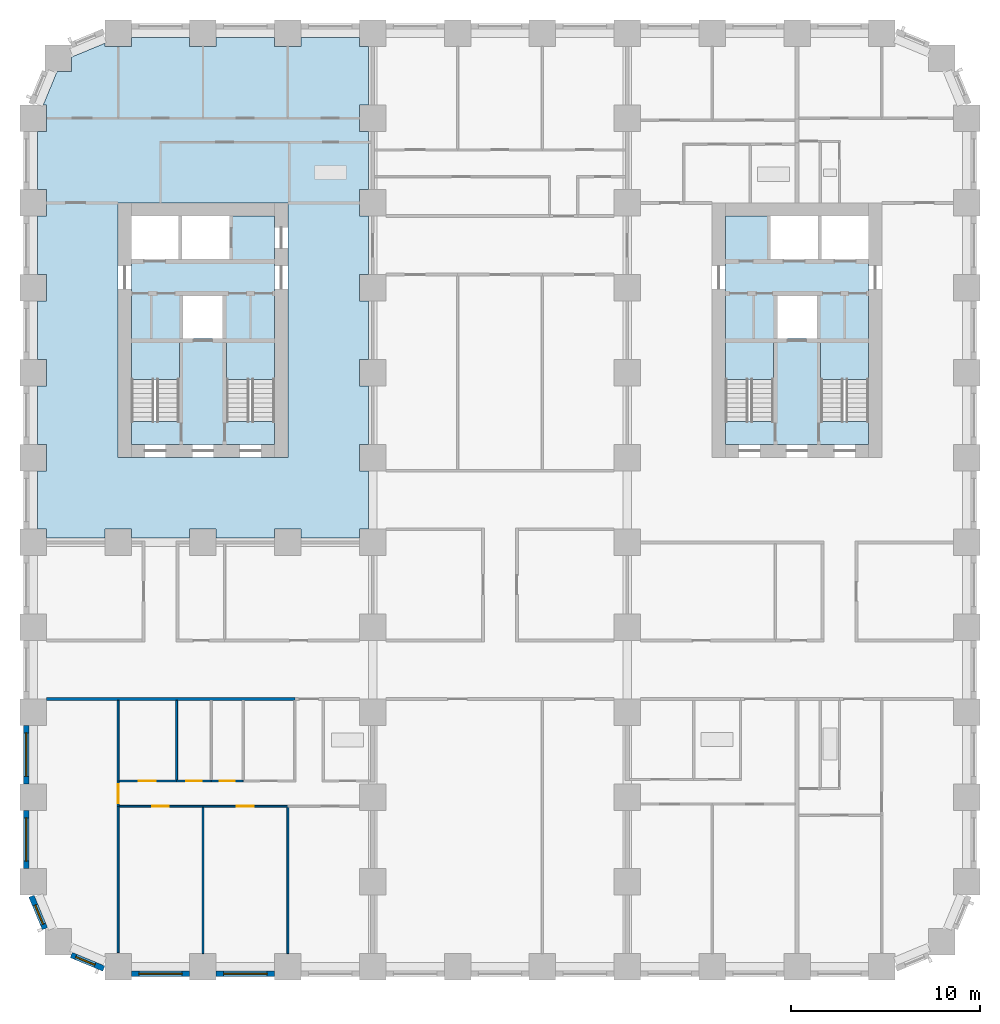
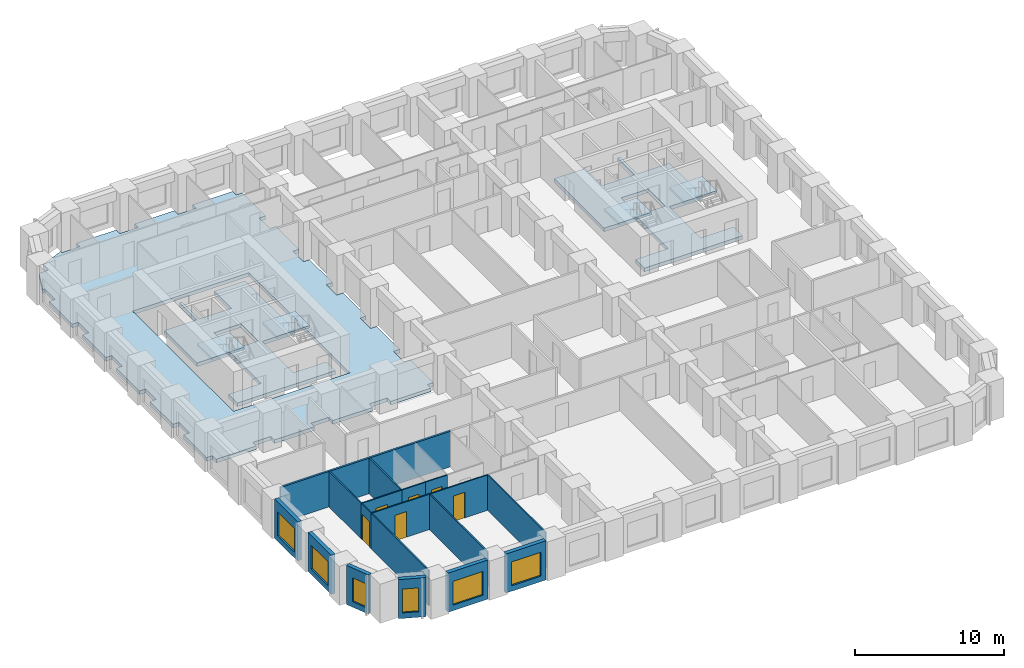
# One storey, part 2 of 13: 18 walls, 7 slabs, 6 doors, 6 windows, 12 openings, 4 elements without a shape of their own.
"""IFC4 building model written with IfcOpenShell, lengths in metres."""

from ifc_helpers import new_model, si_unit, direction, frame, frame_2d, origin, place, context, subcontext, project, spatial, polyline, rectangle, outline, extrude, material, layer, layer_set, type_object, element, fill, aggregate, save


model = new_model("IFC4")

# Units and contexts
model_context = context("Model", 3, precision=1e-05, world=origin(), true_north=direction((0.0, 1.0)))
body_context = subcontext(model_context, "Body", "Model", "MODEL_VIEW")
ifc_project = project(units=[si_unit("LENGTHUNIT", "METRE"), si_unit("AREAUNIT", "SQUARE_METRE"), si_unit("VOLUMEUNIT", "CUBIC_METRE"), si_unit("PLANEANGLEUNIT", "RADIAN"), si_unit("MASSUNIT", "GRAM", prefix="KILO")], contexts=[model_context])

# Site, building, storey
site_placement = place(None, origin())
site = spatial("IfcSite", under=ifc_project, at=site_placement, CompositionType="ELEMENT")
building_placement = place(site_placement, origin())
building = spatial("IfcBuilding", under=site, at=building_placement, Name="Girih Gate Residences", CompositionType="ELEMENT")
storey_placement = place(building_placement, frame((0.0, 0.0, 40.0)))
storey = spatial("IfcBuildingStorey", under=building, at=storey_placement, Name="L09", CompositionType="ELEMENT", Elevation=40.0)

# Slabs
ifc_material_1 = material(Name="Concrete C40/50", Category="concrete")
ifc_layer_1 = layer(ifc_material_1, 0.300048828125)
ifc_layer_set_1 = layer_set([ifc_layer_1], Name="Core floor slab 300")
slab_type_1 = type_object("IfcSlabType", Name="Core floor slab 300", PredefinedType="FLOOR", material=ifc_layer_set_1)
slab_1_placement = place(storey_placement, frame((0.0, 0.0, -0.300048828125)))
element("IfcSlab", 1, at=slab_1_placement, inside=storey, type_object=slab_type_1, Name="L09 W core floor", PredefinedType="FLOOR", context=body_context, shape_type="SweptSolid", body=[
    extrude(outline(polyline([(12.800048828125, 27.699951171875), (5.199951171875, 27.699951171875), (5.199951171875, 28.900634765625), (7.75, 28.900634765625), (7.75, 33.10009765625), (5.199951171875, 33.10009765625), (5.199951171875, 37.5), (7.699951171875, 37.5), (7.699951171875, 39.800048828125), (7.89990234375, 39.800048828125), (7.89990234375, 37.5), (10.39990234375, 37.5), (10.39990234375, 39.800048828125), (12.800048828125, 39.800048828125), (12.800048828125, 33.10009765625), (10.25, 33.10009765625), (10.25, 28.900634765625), (12.800048828125, 28.900634765625), (12.800048828125, 27.699951171875)]), holes=[polyline([(7.949951171875, 33.300048828125), (10.050048828125, 33.300048828125), (10.050048828125, 35.60009765625), (7.949951171875, 35.60009765625), (7.949951171875, 33.300048828125)])]), origin(), (0.0, 0.0, 1.0), 0.300048828125),
])
slab_2_placement = place(storey_placement, frame((0.0, 0.0, -0.300048828125)))
element("IfcSlab", 2, at=slab_2_placement, inside=storey, type_object=slab_type_1, Name="L09 E core floor", PredefinedType="FLOOR", context=body_context, shape_type="SweptSolid", body=[
    extrude(outline(polyline([(44.300048828125, 27.699951171875), (36.699951171875, 27.699951171875), (36.699951171875, 28.900634765625), (39.25, 28.900634765625), (39.25, 33.10009765625), (36.699951171875, 33.10009765625), (36.699951171875, 39.800048828125), (39.10009765625, 39.800048828125), (39.10009765625, 37.5), (41.60009765625, 37.5), (41.60009765625, 39.800048828125), (41.800048828125, 39.800048828125), (41.800048828125, 37.5), (44.300048828125, 37.5), (44.300048828125, 33.10009765625), (41.75, 33.10009765625), (41.75, 28.900634765625), (44.300048828125, 28.900634765625), (44.300048828125, 27.699951171875)]), holes=[polyline([(39.449951171875, 33.300048828125), (41.550048828125, 33.300048828125), (41.550048828125, 35.60009765625), (39.449951171875, 35.60009765625), (39.449951171875, 33.300048828125)])]), origin(), (0.0, 0.0, 1.0), 0.300048828125),
])
ifc_layer_2 = layer(ifc_material_1, 0.300048828125)
ifc_layer_set_2 = layer_set([ifc_layer_2], Name="Floor slab PT 300 Concrete C40/50")
slab_type_2 = type_object("IfcSlabType", Name="Floor slab PT 300 Concrete C40/50", PredefinedType="FLOOR", material=ifc_layer_set_2)
slab_3_placement = place(storey_placement, frame((0.0, 0.0, -0.300048828125)))
element("IfcSlab", 3, at=slab_3_placement, inside=storey, type_object=slab_type_2, Name="Floor slab L09 3", PredefinedType="FLOOR", context=body_context, shape_type="SweptSolid", body=[
    extrude(outline(polyline([(0.22509765625, 26.300048828125), (0.22509765625, 23.199951171875), (0.699951171875, 23.199951171875), (0.699951171875, 22.72509765625), (3.800048828125, 22.72509765625), (3.800048828125, 23.199951171875), (5.199951171875, 23.199951171875), (5.199951171875, 22.72509765625), (8.300048828125, 22.72509765625), (8.300048828125, 23.199951171875), (9.699951171875, 23.199951171875), (9.699951171875, 22.72509765625), (12.800048828125, 22.72509765625), (12.800048828125, 23.199951171875), (14.199951171875, 23.199951171875), (14.199951171875, 22.72509765625), (17.300048828125, 22.72509765625), (17.300048828125, 23.199951171875), (17.77490234375, 23.199951171875), (17.77490234375, 26.300048828125), (17.300048828125, 26.300048828125), (17.300048828125, 27.699951171875), (17.77490234375, 27.699951171875), (17.77490234375, 30.800048828125), (17.300048828125, 30.800048828125), (17.300048828125, 32.199951171875), (17.77490234375, 32.199951171875), (17.77490234375, 35.300048828125), (17.300048828125, 35.300048828125), (17.300048828125, 36.699951171875), (17.77490234375, 36.699951171875), (17.77490234375, 39.800048828125), (17.300048828125, 39.800048828125), (17.300048828125, 41.199951171875), (17.77490234375, 41.199951171875), (17.77490234375, 44.300048828125), (17.300048828125, 44.300048828125), (17.300048828125, 45.699951171875), (17.77490234375, 45.699951171875), (17.77490234375, 48.800048828125), (17.300048828125, 48.800048828125), (17.300048828125, 49.27490234375), (14.199951171875, 49.27490234375), (14.199951171875, 48.800048828125), (12.800048828125, 48.800048828125), (12.800048828125, 49.27490234375), (9.699951171875, 49.27490234375), (9.699951171875, 48.800048828125), (8.300048828125, 48.800048828125), (8.300048828125, 49.27490234375), (5.199951171875, 49.27490234375), (5.199951171875, 48.800048828125), (3.800048828125, 48.800048828125), (3.800048828125, 48.966552734375), (2.01806640625, 48.228271484375), (2.01806640625, 47.48193359375), (1.271728515625, 47.48193359375), (0.533447265625, 45.699951171875), (0.699951171875, 45.699951171875), (0.699951171875, 44.300048828125), (0.22509765625, 44.300048828125), (0.22509765625, 41.199951171875), (0.699951171875, 41.199951171875), (0.699951171875, 39.800048828125), (0.22509765625, 39.800048828125), (0.22509765625, 36.699951171875), (0.699951171875, 36.699951171875), (0.699951171875, 35.300048828125), (0.22509765625, 35.300048828125), (0.22509765625, 32.199951171875), (0.699951171875, 32.199951171875), (0.699951171875, 30.800048828125), (0.22509765625, 30.800048828125), (0.22509765625, 27.699951171875), (0.699951171875, 27.699951171875), (0.699951171875, 26.300048828125), (0.22509765625, 26.300048828125)]), holes=[polyline([(13.5, 40.5), (13.5, 27.0), (4.5, 27.0), (4.5, 40.5), (13.5, 40.5)])]), origin(), (0.0, 0.0, 1.0), 0.300048828125),
])

# Stair, slab
stair_type = type_object("IfcStairType", Name="Exit stair", PredefinedType="HALF_TURN_STAIR", material=ifc_material_1)
stair_1_placement = place(storey_placement, origin())
stair_1 = element("IfcStair", 4, at=stair_1_placement, inside=storey, type_object=stair_type, Name="L09 Exit Stair ST-W1", PredefinedType="HALF_TURN_STAIR")
ifc_layer_3 = layer(ifc_material_1, 0.199951171875)
ifc_layer_set_3 = layer_set([ifc_layer_3], Name="Stair landing 200")
slab_type_3 = type_object("IfcSlabType", Name="Stair landing 200", PredefinedType="LANDING", material=ifc_layer_set_3)
slab_4_placement = place(storey_placement, frame((0.0, 0.0, 1.39990234375)))
slab_4 = element("IfcSlab", 5, at=slab_4_placement, type_object=slab_type_3, Name="ST-W1 landing 1", PredefinedType="LANDING", context=body_context, shape_type="SweptSolid", body=[
    extrude(outline(polyline([(7.75, 31.14990234375), (7.75, 33.10009765625), (5.199951171875, 33.10009765625), (5.199951171875, 31.14990234375), (7.75, 31.14990234375)])), origin(), (0.0, 0.0, 1.0), 0.2001953125),
])
aggregate(stair_1, [slab_4])

stair_2_placement = place(storey_placement, origin())
stair_2 = element("IfcStair", 6, at=stair_2_placement, inside=storey, type_object=stair_type, Name="L09 Exit Stair ST-W2", PredefinedType="HALF_TURN_STAIR")
slab_5_placement = place(storey_placement, frame((0.0, 0.0, 1.39990234375)))
slab_5 = element("IfcSlab", 7, at=slab_5_placement, type_object=slab_type_3, Name="ST-W2 landing 1", PredefinedType="LANDING", context=body_context, shape_type="SweptSolid", body=[
    extrude(outline(polyline([(12.800048828125, 31.14990234375), (12.800048828125, 33.10009765625), (10.25, 33.10009765625), (10.25, 31.14990234375), (12.800048828125, 31.14990234375)])), origin(), (0.0, 0.0, 1.0), 0.2001953125),
])
aggregate(stair_2, [slab_5])

stair_3_placement = place(storey_placement, origin())
stair_3 = element("IfcStair", 8, at=stair_3_placement, inside=storey, type_object=stair_type, Name="L09 Exit Stair ST-E1", PredefinedType="HALF_TURN_STAIR")
slab_6_placement = place(storey_placement, frame((0.0, 0.0, 1.39990234375)))
slab_6 = element("IfcSlab", 9, at=slab_6_placement, type_object=slab_type_3, Name="ST-E1 landing 1", PredefinedType="LANDING", context=body_context, shape_type="SweptSolid", body=[
    extrude(outline(polyline([(44.300048828125, 31.14990234375), (44.300048828125, 33.10009765625), (41.75, 33.10009765625), (41.75, 31.14990234375), (44.300048828125, 31.14990234375)])), origin(), (0.0, 0.0, 1.0), 0.2001953125),
])
aggregate(stair_3, [slab_6])

stair_4_placement = place(storey_placement, origin())
stair_4 = element("IfcStair", 10, at=stair_4_placement, inside=storey, type_object=stair_type, Name="L09 Exit Stair ST-E2", PredefinedType="HALF_TURN_STAIR")
slab_7_placement = place(storey_placement, frame((0.0, 0.0, 1.39990234375)))
slab_7 = element("IfcSlab", 11, at=slab_7_placement, type_object=slab_type_3, Name="ST-E2 landing 1", PredefinedType="LANDING", context=body_context, shape_type="SweptSolid", body=[
    extrude(outline(polyline([(39.25, 31.14990234375), (39.25, 33.10009765625), (36.699951171875, 33.10009765625), (36.699951171875, 31.14990234375), (39.25, 31.14990234375)])), origin(), (0.0, 0.0, 1.0), 0.2001953125),
])
aggregate(stair_4, [slab_7])

# Walls
ifc_material_2 = material(Name="Gypsum board on steel studs", Category="steel")
ifc_layer_4 = layer(ifc_material_2, 0.14990234375)
ifc_layer_set_4 = layer_set([ifc_layer_4], Name="Compartment wall 150 mm")
wall_type_1 = type_object("IfcWallType", Name="Compartment wall 150 mm", PredefinedType="PARTITIONING", material=ifc_layer_set_4)
wall_1_placement = place(storey_placement, frame((0.699951171875, 14.199951171875, 0.0), z_axis=(0.0, 0.0, 1.0), x_axis=(1.0, 0.0, 0.0)))
element("IfcWall", 12, at=wall_1_placement, inside=storey, type_object=wall_type_1, Name="L09 partition", PredefinedType="PARTITIONING", context=body_context, shape_type="SweptSolid", body=[
    extrude(rectangle(XDim=13.175048828125, YDim=0.14990234375, at=frame_2d((6.58740234375, 0.0))), origin(), (0.0, 0.0, 1.0), 2.89990234375),
])
ifc_layer_5 = layer(ifc_material_2, 0.10009765625)
ifc_layer_set_5 = layer_set([ifc_layer_5], Name="Partition 100 mm")
wall_type_2 = type_object("IfcWallType", Name="Partition 100 mm", PredefinedType="PARTITIONING", material=ifc_layer_set_5)
wall_2_placement = place(storey_placement, frame((9.0, 0.699951171875, 0.0), z_axis=(0.0, 0.0, 1.0), x_axis=(0.0, 1.0, 0.0)))
element("IfcWall", 13, at=wall_2_placement, inside=storey, type_object=wall_type_2, Name="L09 partition", PredefinedType="PARTITIONING", context=body_context, shape_type="SweptSolid", body=[
    extrude(rectangle(XDim=7.760009765625, YDim=0.10009765625, at=frame_2d((3.8798828125, 0.0))), origin(), (0.0, 0.0, 1.0), 2.89990234375),
])

# Wall, opening, door
wall_3_placement = place(storey_placement, frame((9.0, 8.510009765625, 0.0), z_axis=(0.0, 0.0, 1.0), x_axis=(-1.0, 0.0, 0.0)))
wall_3 = element("IfcWall", 14, at=wall_3_placement, inside=storey, type_object=wall_type_2, Name="L09 partition", PredefinedType="PARTITIONING", context=body_context, shape_type="SweptSolid", body=[
    extrude(rectangle(XDim=4.449951171875, YDim=0.10009765625, at=frame_2d((2.22509765625, 0.0))), origin(), (0.0, 0.0, 1.0), 2.89990234375),
])
opening_1_placement = place(wall_3_placement, frame((1.800048828125, 0.0, 0.0)))
opening_1 = element("IfcOpeningElement", 15, at=opening_1_placement, cuts=wall_3, Name="Opening A09-002", PredefinedType="OPENING", context=body_context, shape_type="SweptSolid", body=[
    extrude(rectangle(XDim=0.89990234375, YDim=2.10009765625, at=frame_2d((0.449951171875, 1.050048828125))), frame((0.0, 0.06005859375, 0.0), z_axis=(0.0, -1.0, 0.0), x_axis=(1.0, 0.0, 0.0)), (0.0, 0.0, 1.0), 0.1201171875),
])
ifc_material_3 = material(Name="Timber", Category="wood")
door_type_1 = type_object("IfcDoorType", Name="Bedroom door 900x2100", OperationType="NOTDEFINED", PredefinedType="DOOR", material=ifc_material_3)
door_1_placement = place(opening_1_placement, origin())
door_1 = element("IfcDoor", 16, at=door_1_placement, inside=storey, type_object=door_type_1, Name="Door A09-002", OperationType="SINGLE_SWING_RIGHT", OverallHeight=2.10009765625, OverallWidth=0.89990234375, PredefinedType="DOOR", context=body_context, shape_type="SweptSolid", body=[
    extrude(rectangle(XDim=0.89990234375, YDim=2.10009765625, at=frame_2d((0.449951171875, 1.050048828125))), frame((0.0, 0.02490234375, 0.0), z_axis=(0.0, -1.0, 0.0), x_axis=(1.0, 0.0, 0.0)), (0.0, 0.0, 1.0), 0.050048828125),
])
fill(opening_1, door_1)

# Walls
wall_4_placement = place(storey_placement, frame((4.5, 0.757568359375, 0.0), z_axis=(0.0, 0.0, 1.0), x_axis=(0.0, 1.0, 0.0)))
element("IfcWall", 17, at=wall_4_placement, inside=storey, type_object=wall_type_2, Name="L09 partition", PredefinedType="PARTITIONING", context=body_context, shape_type="SweptSolid", body=[
    extrude(rectangle(XDim=7.75244140625, YDim=0.10009765625, at=frame_2d((3.876220703125, 0.0))), origin(), (0.0, 0.0, 1.0), 2.89990234375),
])
wall_5_placement = place(storey_placement, frame((13.5, 0.699951171875, 0.0), z_axis=(0.0, 0.0, 1.0), x_axis=(0.0, 1.0, 0.0)))
element("IfcWall", 18, at=wall_5_placement, inside=storey, type_object=wall_type_2, Name="L09 partition", PredefinedType="PARTITIONING", context=body_context, shape_type="SweptSolid", body=[
    extrude(rectangle(XDim=7.760009765625, YDim=0.10009765625, at=frame_2d((3.8798828125, 0.0))), origin(), (0.0, 0.0, 1.0), 2.89990234375),
])

# Wall, opening, door
wall_6_placement = place(storey_placement, frame((13.5, 8.510009765625, 0.0), z_axis=(0.0, 0.0, 1.0), x_axis=(-1.0, 0.0, 0.0)))
wall_6 = element("IfcWall", 19, at=wall_6_placement, inside=storey, type_object=wall_type_2, Name="L09 partition", PredefinedType="PARTITIONING", context=body_context, shape_type="SweptSolid", body=[
    extrude(rectangle(XDim=4.5, YDim=0.10009765625, at=frame_2d((2.25, 0.0))), origin(), (0.0, 0.0, 1.0), 2.89990234375),
])
opening_2_placement = place(wall_6_placement, frame((1.800048828125, 0.0, 0.0)))
opening_2 = element("IfcOpeningElement", 20, at=opening_2_placement, cuts=wall_6, Name="Opening A09-003", PredefinedType="OPENING", context=body_context, shape_type="SweptSolid", body=[
    extrude(rectangle(XDim=0.89990234375, YDim=2.10009765625, at=frame_2d((0.449951171875, 1.050048828125))), frame((0.0, 0.06005859375, 0.0), z_axis=(0.0, -1.0, 0.0), x_axis=(1.0, 0.0, 0.0)), (0.0, 0.0, 1.0), 0.1201171875),
])
door_2_placement = place(opening_2_placement, origin())
door_2 = element("IfcDoor", 21, at=door_2_placement, inside=storey, type_object=door_type_1, Name="Door A09-003", OperationType="SINGLE_SWING_LEFT", OverallHeight=2.10009765625, OverallWidth=0.89990234375, PredefinedType="DOOR", context=body_context, shape_type="SweptSolid", body=[
    extrude(rectangle(XDim=0.89990234375, YDim=2.10009765625, at=frame_2d((0.449951171875, 1.050048828125))), frame((0.0, 0.02490234375, 0.0), z_axis=(0.0, -1.0, 0.0), x_axis=(1.0, 0.0, 0.0)), (0.0, 0.0, 1.0), 0.050048828125),
])
fill(opening_2, door_2)

wall_7_placement = place(storey_placement, frame((4.550048828125, 9.85009765625, 0.0), z_axis=(0.0, 0.0, 1.0), x_axis=(1.0, 0.0, 0.0)))
wall_7 = element("IfcWall", 22, at=wall_7_placement, inside=storey, type_object=wall_type_2, Name="L09 partition", PredefinedType="PARTITIONING", context=body_context, shape_type="SweptSolid", body=[
    extrude(rectangle(XDim=3.056640625, YDim=0.10009765625, at=frame_2d((1.5283203125, 0.0))), origin(), (0.0, 0.0, 1.0), 2.89990234375),
])
opening_3_placement = place(wall_7_placement, frame((1.05322265625, 0.0, 0.0)))
opening_3 = element("IfcOpeningElement", 23, at=opening_3_placement, cuts=wall_7, Name="Opening A09-006", PredefinedType="OPENING", context=body_context, shape_type="SweptSolid", body=[
    extrude(rectangle(XDim=0.89990234375, YDim=2.10009765625, at=frame_2d((0.449951171875, 1.050048828125))), frame((0.0, 0.06005859375, 0.0), z_axis=(0.0, -1.0, 0.0), x_axis=(1.0, 0.0, 0.0)), (0.0, 0.0, 1.0), 0.1201171875),
])
door_type_2 = type_object("IfcDoorType", Name="Kitchen door 900x2100", OperationType="NOTDEFINED", PredefinedType="DOOR", material=ifc_material_3)
door_3_placement = place(opening_3_placement, origin())
door_3 = element("IfcDoor", 24, at=door_3_placement, inside=storey, type_object=door_type_2, Name="Door A09-006", OperationType="SINGLE_SWING_LEFT", OverallHeight=2.10009765625, OverallWidth=0.89990234375, PredefinedType="DOOR", context=body_context, shape_type="SweptSolid", body=[
    extrude(rectangle(XDim=0.89990234375, YDim=2.10009765625, at=frame_2d((0.449951171875, 1.050048828125))), frame((0.0, 0.02490234375, 0.0), z_axis=(0.0, -1.0, 0.0), x_axis=(1.0, 0.0, 0.0)), (0.0, 0.0, 1.0), 0.050048828125),
])
fill(opening_3, door_3)

wall_8_placement = place(storey_placement, frame((4.5, 8.510009765625, 0.0), z_axis=(0.0, 0.0, 1.0), x_axis=(0.0, 1.0, 0.0)))
wall_8 = element("IfcWall", 25, at=wall_8_placement, inside=storey, type_object=wall_type_2, Name="L09 partition", PredefinedType="PARTITIONING", context=body_context, shape_type="SweptSolid", body=[
    extrude(rectangle(XDim=1.340087890625, YDim=0.10009765625, at=frame_2d((0.669921875, 0.0))), origin(), (0.0, 0.0, 1.0), 2.89990234375),
])
opening_4_placement = place(wall_8_placement, frame((0.169921875, 0.0, 0.0)))
opening_4 = element("IfcOpeningElement", 26, at=opening_4_placement, cuts=wall_8, Name="Opening A09-007", PredefinedType="OPENING", context=body_context, shape_type="SweptSolid", body=[
    extrude(rectangle(XDim=1.0, YDim=2.10009765625, at=frame_2d((0.5, 1.050048828125))), frame((0.0, 0.06005859375, 0.0), z_axis=(0.0, -1.0, 0.0), x_axis=(1.0, 0.0, 0.0)), (0.0, 0.0, 1.0), 0.1201171875),
])
door_type_3 = type_object("IfcDoorType", Name="Living room door 1000x2100", OperationType="NOTDEFINED", PredefinedType="DOOR", material=ifc_material_3)
door_4_placement = place(opening_4_placement, origin())
door_4 = element("IfcDoor", 27, at=door_4_placement, inside=storey, type_object=door_type_3, Name="Door A09-007", OperationType="SINGLE_SWING_RIGHT", OverallHeight=2.10009765625, OverallWidth=1.0, PredefinedType="DOOR", context=body_context, shape_type="SweptSolid", body=[
    extrude(rectangle(XDim=1.0, YDim=2.10009765625, at=frame_2d((0.5, 1.050048828125))), frame((0.0, 0.02490234375, 0.0), z_axis=(0.0, -1.0, 0.0), x_axis=(1.0, 0.0, 0.0)), (0.0, 0.0, 1.0), 0.050048828125),
])
fill(opening_4, door_4)

wall_9_placement = place(storey_placement, frame((9.4423828125, 9.85009765625, 0.0), z_axis=(0.0, 0.0, 1.0), x_axis=(1.0, 0.0, 0.0)))
wall_9 = element("IfcWall", 28, at=wall_9_placement, inside=storey, type_object=wall_type_2, Name="L09 partition", PredefinedType="PARTITIONING", context=body_context, shape_type="SweptSolid", body=[
    extrude(rectangle(XDim=1.689453125, YDim=0.10009765625, at=frame_2d((0.8447265625, 0.0))), origin(), (0.0, 0.0, 1.0), 2.89990234375),
])
opening_5_placement = place(wall_9_placement, frame((0.44482421875, 0.0, 0.0)))
opening_5 = element("IfcOpeningElement", 29, at=opening_5_placement, cuts=wall_9, Name="Opening A09-008", PredefinedType="OPENING", context=body_context, shape_type="SweptSolid", body=[
    extrude(rectangle(XDim=0.800048828125, YDim=2.10009765625, at=frame_2d((0.39990234375, 1.050048828125))), frame((0.0, 0.06005859375, 0.0), z_axis=(0.0, -1.0, 0.0), x_axis=(1.0, 0.0, 0.0)), (0.0, 0.0, 1.0), 0.1201171875),
])
door_type_4 = type_object("IfcDoorType", Name="Store door 800x2100", OperationType="NOTDEFINED", PredefinedType="DOOR", material=ifc_material_3)
door_5_placement = place(opening_5_placement, origin())
door_5 = element("IfcDoor", 30, at=door_5_placement, inside=storey, type_object=door_type_4, Name="Door A09-008", OperationType="SINGLE_SWING_LEFT", OverallHeight=2.10009765625, OverallWidth=0.800048828125, PredefinedType="DOOR", context=body_context, shape_type="SweptSolid", body=[
    extrude(rectangle(XDim=0.800048828125, YDim=2.10009765625, at=frame_2d((0.39990234375, 1.050048828125))), frame((0.0, 0.02490234375, 0.0), z_axis=(0.0, -1.0, 0.0), x_axis=(1.0, 0.0, 0.0)), (0.0, 0.0, 1.0), 0.050048828125),
])
fill(opening_5, door_5)

wall_10_placement = place(storey_placement, frame((7.606689453125, 9.85009765625, 0.0), z_axis=(0.0, 0.0, 1.0), x_axis=(1.0, 0.0, 0.0)))
wall_10 = element("IfcWall", 31, at=wall_10_placement, inside=storey, type_object=wall_type_2, Name="L09 partition", PredefinedType="PARTITIONING", context=body_context, shape_type="SweptSolid", body=[
    extrude(rectangle(XDim=1.835693359375, YDim=0.10009765625, at=frame_2d((0.91796875, 0.0))), origin(), (0.0, 0.0, 1.0), 2.89990234375),
])
opening_6_placement = place(wall_10_placement, frame((0.517822265625, 0.0, 0.0)))
opening_6 = element("IfcOpeningElement", 32, at=opening_6_placement, cuts=wall_10, Name="Opening A09-009", PredefinedType="OPENING", context=body_context, shape_type="SweptSolid", body=[
    extrude(rectangle(XDim=0.800048828125, YDim=2.10009765625, at=frame_2d((0.39990234375, 1.050048828125))), frame((0.0, 0.06005859375, 0.0), z_axis=(0.0, -1.0, 0.0), x_axis=(1.0, 0.0, 0.0)), (0.0, 0.0, 1.0), 0.1201171875),
])
door_6_placement = place(opening_6_placement, origin())
door_6 = element("IfcDoor", 33, at=door_6_placement, inside=storey, type_object=door_type_4, Name="Door A09-009", OperationType="SINGLE_SWING_RIGHT", OverallHeight=2.10009765625, OverallWidth=0.800048828125, PredefinedType="DOOR", context=body_context, shape_type="SweptSolid", body=[
    extrude(rectangle(XDim=0.800048828125, YDim=2.10009765625, at=frame_2d((0.39990234375, 1.050048828125))), frame((0.0, 0.02490234375, 0.0), z_axis=(0.0, -1.0, 0.0), x_axis=(1.0, 0.0, 0.0)), (0.0, 0.0, 1.0), 0.050048828125),
])
fill(opening_6, door_6)

# Walls
wall_11_placement = place(storey_placement, frame((4.5, 9.85009765625, 0.0), z_axis=(0.0, 0.0, 1.0), x_axis=(0.0, 1.0, 0.0)))
element("IfcWall", 34, at=wall_11_placement, inside=storey, type_object=wall_type_2, Name="L09 partition", PredefinedType="PARTITIONING", context=body_context, shape_type="SweptSolid", body=[
    extrude(rectangle(XDim=4.27490234375, YDim=0.10009765625, at=frame_2d((2.137451171875, 0.0))), origin(), (0.0, 0.0, 1.0), 2.89990234375),
])
wall_12_placement = place(storey_placement, frame((7.60693359375, 9.89990234375, 0.0), z_axis=(0.0, 0.0, 1.0), x_axis=(0.0, 1.0, 0.0)))
element("IfcWall", 35, at=wall_12_placement, inside=storey, type_object=wall_type_2, Name="L09 partition", PredefinedType="PARTITIONING", context=body_context, shape_type="SweptSolid", body=[
    extrude(rectangle(XDim=4.22509765625, YDim=0.10009765625, at=frame_2d((2.112548828125, 0.0))), origin(), (0.0, 0.0, 1.0), 2.89990234375),
])

# Wall, opening, window
ifc_material_4 = material(Name="Precast concrete C50/60", Category="concrete")
ifc_layer_6 = layer(ifc_material_4, 0.080078125, Name="Outer leaf")
ifc_material_5 = material(Name="Rigid PIR insulation")
ifc_layer_7 = layer(ifc_material_5, 0.14990234375, Name="Insulation")
ifc_material_6 = material(Name="Precast concrete C40/50", Category="concrete")
ifc_layer_8 = layer(ifc_material_6, 0.070068359375, Name="Inner leaf")
ifc_layer_set_6 = layer_set([ifc_layer_6, ifc_layer_7, ifc_layer_8], Name="Precast concrete C50/60 external wall 300")
wall_type_3 = type_object("IfcWallType", Name="Precast concrete C50/60 external wall 300", PredefinedType="SOLIDWALL", material=ifc_layer_set_6)
wall_13_placement = place(storey_placement, frame((0.62158203125, 2.01953125, 0.0), z_axis=(0.0, 0.0, 1.0), x_axis=(-0.38262540684, 0.923903565336, 0.0)))
wall_13 = element("IfcWall", 36, at=wall_13_placement, inside=storey, type_object=wall_type_3, Name="External wall SW0000_0045.0", PredefinedType="SOLIDWALL", context=body_context, shape_type="SweptSolid", body=[
    extrude(rectangle(XDim=1.864990234375, YDim=0.300048828125, at=frame_2d((0.9326171875, 0.0))), origin(), (0.0, 0.0, 1.0), 3.199951171875),
])
opening_7_placement = place(wall_13_placement, frame((0.257568359375, 0.0, 0.449951171875)))
opening_7 = element("IfcOpeningElement", 37, at=opening_7_placement, cuts=wall_13, Name="Opening W-2C", PredefinedType="OPENING", context=body_context, shape_type="SweptSolid", body=[
    extrude(rectangle(XDim=1.10009765625, YDim=1.949951171875, at=frame_2d((0.550048828125, 0.97509765625))), frame((0.0, 0.159912109375, 0.0), z_axis=(0.0, -1.0, 0.0), x_axis=(1.0, 0.0, 0.0)), (0.0, 0.0, 1.0), 0.320068359375),
])
ifc_material_7 = material(Name="Double glazing in aluminium frame", Category="aluminium")
window_type_1 = type_object("IfcWindowType", Name="Window W-2C 1100x1950", PartitioningType="SINGLE_PANEL", PredefinedType="WINDOW", material=ifc_material_7)
window_1_placement = place(opening_7_placement, origin())
window_1 = element("IfcWindow", 38, at=window_1_placement, inside=storey, type_object=window_type_1, Name="Window W-2C SW0000_0045.0", OverallHeight=1.949951171875, OverallWidth=1.10009765625, PartitioningType="SINGLE_PANEL", PredefinedType="WINDOW", context=body_context, shape_type="SweptSolid", body=[
    extrude(rectangle(XDim=1.10009765625, YDim=1.949951171875, at=frame_2d((0.550048828125, 0.97509765625))), frame((0.0, 0.030029296875, 0.0), z_axis=(0.0, -1.0, 0.0), x_axis=(1.0, 0.0, 0.0)), (0.0, 0.0, 1.0), 0.06005859375),
])
fill(opening_7, window_1)

wall_14_placement = place(storey_placement, frame((3.74267578125, -0.09228515625, 0.0), z_axis=(0.0, 0.0, 1.0), x_axis=(-0.923857286003, 0.382737135771, 0.0)))
wall_14 = element("IfcWall", 39, at=wall_14_placement, inside=storey, type_object=wall_type_3, Name="External wall SW0013_0013.0", PredefinedType="SOLIDWALL", context=body_context, shape_type="SweptSolid", body=[
    extrude(rectangle(XDim=1.865234375, YDim=0.300048828125, at=frame_2d((0.9326171875, 0.0))), origin(), (0.0, 0.0, 1.0), 3.199951171875),
])
opening_8_placement = place(wall_14_placement, frame((0.507568359375, 0.0, 0.449951171875)))
opening_8 = element("IfcOpeningElement", 40, at=opening_8_placement, cuts=wall_14, Name="Opening W-2C", PredefinedType="OPENING", context=body_context, shape_type="SweptSolid", body=[
    extrude(rectangle(XDim=1.10009765625, YDim=1.949951171875, at=frame_2d((0.550048828125, 0.97509765625))), frame((0.0, 0.159912109375, 0.0), z_axis=(0.0, -1.0, 0.0), x_axis=(1.0, 0.0, 0.0)), (0.0, 0.0, 1.0), 0.320068359375),
])
window_2_placement = place(opening_8_placement, origin())
window_2 = element("IfcWindow", 41, at=window_2_placement, inside=storey, type_object=window_type_1, Name="Window W-2C SW0013_0013.0", OverallHeight=1.949951171875, OverallWidth=1.10009765625, PartitioningType="SINGLE_PANEL", PredefinedType="WINDOW", context=body_context, shape_type="SweptSolid", body=[
    extrude(rectangle(XDim=1.10009765625, YDim=1.949951171875, at=frame_2d((0.550048828125, 0.97509765625))), frame((0.0, 0.030029296875, 0.0), z_axis=(0.0, -1.0, 0.0), x_axis=(1.0, 0.0, 0.0)), (0.0, 0.0, 1.0), 0.06005859375),
])
fill(opening_8, window_2)

wall_15_placement = place(storey_placement, frame((8.300048828125, -0.375, 0.0), z_axis=(0.0, 0.0, 1.0), x_axis=(-1.0, 0.0, 0.0)))
wall_15 = element("IfcWall", 42, at=wall_15_placement, inside=storey, type_object=wall_type_3, Name="External wall S0045_0000.0", PredefinedType="SOLIDWALL", context=body_context, shape_type="SweptSolid", body=[
    extrude(rectangle(XDim=3.10009765625, YDim=0.300048828125, at=frame_2d((1.550048828125, 0.0))), origin(), (0.0, 0.0, 1.0), 3.199951171875),
])
opening_9_placement = place(wall_15_placement, frame((0.39990234375, 0.0, 0.449951171875)))
opening_9 = element("IfcOpeningElement", 43, at=opening_9_placement, cuts=wall_15, Name="Opening W-1", PredefinedType="OPENING", context=body_context, shape_type="SweptSolid", body=[
    extrude(rectangle(XDim=2.300048828125, YDim=1.949951171875, at=frame_2d((1.14990234375, 0.97509765625))), frame((0.0, 0.159912109375, 0.0), z_axis=(0.0, -1.0, 0.0), x_axis=(1.0, 0.0, 0.0)), (0.0, 0.0, 1.0), 0.320068359375),
])
window_type_2 = type_object("IfcWindowType", Name="Window W-1 2300x1950", PartitioningType="SINGLE_PANEL", PredefinedType="WINDOW", material=ifc_material_7)
window_3_placement = place(opening_9_placement, origin())
window_3 = element("IfcWindow", 44, at=window_3_placement, inside=storey, type_object=window_type_2, Name="Window W-1 S0045_0000.0", OverallHeight=1.949951171875, OverallWidth=2.300048828125, PartitioningType="SINGLE_PANEL", PredefinedType="WINDOW", context=body_context, shape_type="SweptSolid", body=[
    extrude(rectangle(XDim=2.300048828125, YDim=1.949951171875, at=frame_2d((1.14990234375, 0.97509765625))), frame((0.0, 0.030029296875, 0.0), z_axis=(0.0, -1.0, 0.0), x_axis=(1.0, 0.0, 0.0)), (0.0, 0.0, 1.0), 0.06005859375),
])
fill(opening_9, window_3)

wall_16_placement = place(storey_placement, frame((12.800048828125, -0.375, 0.0), z_axis=(0.0, 0.0, 1.0), x_axis=(-1.0, 0.0, 0.0)))
wall_16 = element("IfcWall", 45, at=wall_16_placement, inside=storey, type_object=wall_type_3, Name="External wall S0045_0000.1", PredefinedType="SOLIDWALL", context=body_context, shape_type="SweptSolid", body=[
    extrude(rectangle(XDim=3.10009765625, YDim=0.300048828125, at=frame_2d((1.550048828125, 0.0))), origin(), (0.0, 0.0, 1.0), 3.199951171875),
])
opening_10_placement = place(wall_16_placement, frame((0.39990234375, 0.0, 0.449951171875)))
opening_10 = element("IfcOpeningElement", 46, at=opening_10_placement, cuts=wall_16, Name="Opening W-1", PredefinedType="OPENING", context=body_context, shape_type="SweptSolid", body=[
    extrude(rectangle(XDim=2.300048828125, YDim=1.949951171875, at=frame_2d((1.14990234375, 0.97509765625))), frame((0.0, 0.159912109375, 0.0), z_axis=(0.0, -1.0, 0.0), x_axis=(1.0, 0.0, 0.0)), (0.0, 0.0, 1.0), 0.320068359375),
])
window_4_placement = place(opening_10_placement, origin())
window_4 = element("IfcWindow", 47, at=window_4_placement, inside=storey, type_object=window_type_2, Name="Window W-1 S0045_0000.1", OverallHeight=1.949951171875, OverallWidth=2.300048828125, PartitioningType="SINGLE_PANEL", PredefinedType="WINDOW", context=body_context, shape_type="SweptSolid", body=[
    extrude(rectangle(XDim=2.300048828125, YDim=1.949951171875, at=frame_2d((1.14990234375, 0.97509765625))), frame((0.0, 0.030029296875, 0.0), z_axis=(0.0, -1.0, 0.0), x_axis=(1.0, 0.0, 0.0)), (0.0, 0.0, 1.0), 0.06005859375),
])
fill(opening_10, window_4)

wall_17_placement = place(storey_placement, frame((-0.375, 9.699951171875, 0.0), z_axis=(0.0, 0.0, 1.0), x_axis=(0.0, 1.0, 0.0)))
wall_17 = element("IfcWall", 48, at=wall_17_placement, inside=storey, type_object=wall_type_3, Name="External wall W0000_0450.7", PredefinedType="SOLIDWALL", context=body_context, shape_type="SweptSolid", body=[
    extrude(rectangle(XDim=3.10009765625, YDim=0.300048828125, at=frame_2d((1.550048828125, 0.0))), origin(), (0.0, 0.0, 1.0), 3.199951171875),
])
opening_11_placement = place(wall_17_placement, frame((0.39990234375, 0.0, 0.449951171875)))
opening_11 = element("IfcOpeningElement", 49, at=opening_11_placement, cuts=wall_17, Name="Opening W-1", PredefinedType="OPENING", context=body_context, shape_type="SweptSolid", body=[
    extrude(rectangle(XDim=2.300048828125, YDim=1.949951171875, at=frame_2d((1.14990234375, 0.97509765625))), frame((0.0, 0.159912109375, 0.0), z_axis=(0.0, -1.0, 0.0), x_axis=(1.0, 0.0, 0.0)), (0.0, 0.0, 1.0), 0.320068359375),
])
window_5_placement = place(opening_11_placement, origin())
window_5 = element("IfcWindow", 50, at=window_5_placement, inside=storey, type_object=window_type_2, Name="Window W-1 W0000_0450.7", OverallHeight=1.949951171875, OverallWidth=2.300048828125, PartitioningType="SINGLE_PANEL", PredefinedType="WINDOW", context=body_context, shape_type="SweptSolid", body=[
    extrude(rectangle(XDim=2.300048828125, YDim=1.949951171875, at=frame_2d((1.14990234375, 0.97509765625))), frame((0.0, 0.030029296875, 0.0), z_axis=(0.0, -1.0, 0.0), x_axis=(1.0, 0.0, 0.0)), (0.0, 0.0, 1.0), 0.06005859375),
])
fill(opening_11, window_5)

wall_18_placement = place(storey_placement, frame((-0.375, 5.199951171875, 0.0), z_axis=(0.0, 0.0, 1.0), x_axis=(0.0, 1.0, 0.0)))
wall_18 = element("IfcWall", 51, at=wall_18_placement, inside=storey, type_object=wall_type_3, Name="External wall W0000_0450.8", PredefinedType="SOLIDWALL", context=body_context, shape_type="SweptSolid", body=[
    extrude(rectangle(XDim=3.10009765625, YDim=0.300048828125, at=frame_2d((1.550048828125, 0.0))), origin(), (0.0, 0.0, 1.0), 3.199951171875),
])
opening_12_placement = place(wall_18_placement, frame((0.39990234375, 0.0, 0.449951171875)))
opening_12 = element("IfcOpeningElement", 52, at=opening_12_placement, cuts=wall_18, Name="Opening W-1", PredefinedType="OPENING", context=body_context, shape_type="SweptSolid", body=[
    extrude(rectangle(XDim=2.300048828125, YDim=1.949951171875, at=frame_2d((1.14990234375, 0.97509765625))), frame((0.0, 0.159912109375, 0.0), z_axis=(0.0, -1.0, 0.0), x_axis=(1.0, 0.0, 0.0)), (0.0, 0.0, 1.0), 0.320068359375),
])
window_6_placement = place(opening_12_placement, origin())
window_6 = element("IfcWindow", 53, at=window_6_placement, inside=storey, type_object=window_type_2, Name="Window W-1 W0000_0450.8", OverallHeight=1.949951171875, OverallWidth=2.300048828125, PartitioningType="SINGLE_PANEL", PredefinedType="WINDOW", context=body_context, shape_type="SweptSolid", body=[
    extrude(rectangle(XDim=2.300048828125, YDim=1.949951171875, at=frame_2d((1.14990234375, 0.97509765625))), frame((0.0, 0.030029296875, 0.0), z_axis=(0.0, -1.0, 0.0), x_axis=(1.0, 0.0, 0.0)), (0.0, 0.0, 1.0), 0.06005859375),
])
fill(opening_12, window_6)

save(model, "model.ifc")
